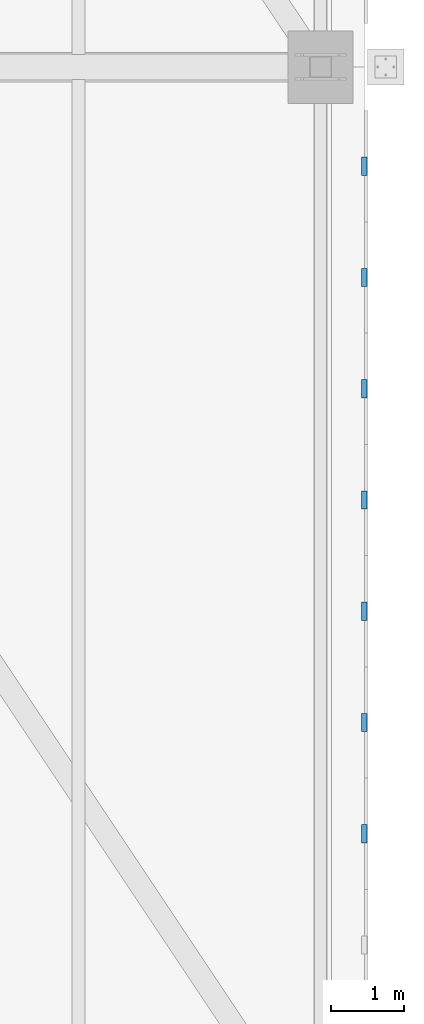
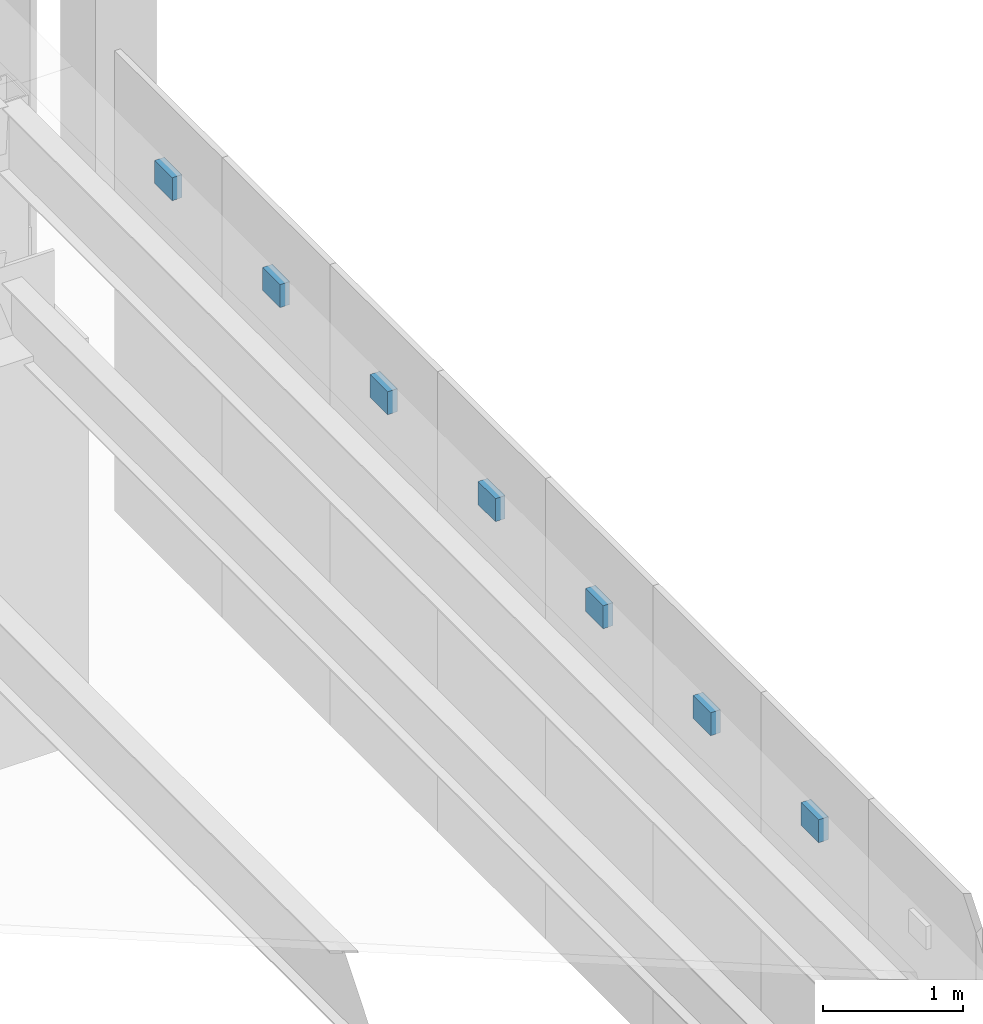
# One storey, part 196 of 278: 7 discrete accessories.
"""IFC4 building model written with IfcOpenShell, lengths in metres."""

import ifcopenshell
import ifcopenshell.guid

model = None  # the IFC model being written
_history = None  # IfcOwnerHistory: only IFC2X3 demands one
_inside = {}  # id of a spatial element -> (the spatial element, [elements in it])
_under = {}  # id of a project, library or spatial element -> (it, [spatial elements below it])
_declared = {}  # id of a project -> (the project, [libraries it declares])
_typed = {}  # id of a type object -> (the type object, [elements of that type])
_made_of = {}  # id of a material, layer set ... -> (it, [elements and type objects made of it])


def new_model(schema):
    """Start an empty IFC model of exactly this schema.

    Asked for "IFC4X3", IfcOpenShell would pick the latest addendum, in which some entities
    have other attributes; the version numbers below select the first issue.
    IFC2X3 requires an IfcOwnerHistory on every rooted entity: one is made here for all.
    """
    global model, _history
    if schema == "IFC4X3":
        model = ifcopenshell.file(schema_version=(4, 3, 0, 0))
    else:
        model = ifcopenshell.file(schema=schema)
    _inside.clear()
    _under.clear()
    _declared.clear()
    _typed.clear()
    _made_of.clear()
    _history = None
    if model.schema == "IFC2X3":
        org = make("IfcOrganization", Name="unknown")
        user = make(
            "IfcPersonAndOrganization",
            ThePerson=make("IfcPerson", FamilyName="unknown"),
            TheOrganization=org,
        )
        app = make(
            "IfcApplication",
            ApplicationDeveloper=org,
            Version="unknown",
            ApplicationFullName="unknown",
            ApplicationIdentifier="unknown",
        )
        _history = make(
            "IfcOwnerHistory",
            OwningUser=user,
            OwningApplication=app,
            ChangeAction="ADDED",
            CreationDate=0,
        )
    return model


def make(cls, **values):
    """One entity of the class cls with the attributes given. An attribute that is None is left unset."""
    return model.create_entity(
        cls, **{name: value for name, value in values.items() if value is not None}
    )


def rooted(cls, **values):
    """An entity with a GlobalId (a new one), such as an element, a storey or a relation."""
    return make(cls, GlobalId=ifcopenshell.guid.new(), OwnerHistory=_history, **values)


def si_unit(unit_type, name, prefix=None):
    """IfcSIUnit, for example si_unit("LENGTHUNIT", "METRE", prefix="MILLI")."""
    return make("IfcSIUnit", UnitType=unit_type, Prefix=prefix, Name=name)


def assignment(units):
    """IfcUnitAssignment: the units of a project."""
    return None if units is None else make("IfcUnitAssignment", Units=units)


def point(xyz):
    """IfcCartesianPoint."""
    return None if xyz is None else make("IfcCartesianPoint", Coordinates=xyz)


def direction(xyz):
    """IfcDirection."""
    return None if xyz is None else make("IfcDirection", DirectionRatios=xyz)


def frame(location, z_axis=None, x_axis=None):
    """IfcAxis2Placement3D, a coordinate frame: its origin and axes. An axis left out is left unset."""
    return make(
        "IfcAxis2Placement3D",
        Location=point(location),
        Axis=direction(z_axis),
        RefDirection=direction(x_axis),
    )


def frame_2d(location, x_axis=None):
    """IfcAxis2Placement2D, a coordinate frame in the plane: its origin and x axis."""
    return make(
        "IfcAxis2Placement2D", Location=point(location), RefDirection=direction(x_axis)
    )


def origin():
    """The frame at (0, 0, 0) with its axes left unset."""
    return frame((0.0, 0.0, 0.0))


def origin_2d():
    """The frame at (0, 0) in the plane with its x axis left unset."""
    return frame_2d((0.0, 0.0))


def place(relative_to, where):
    """IfcLocalPlacement: puts the frame where relative to a parent placement (None: the world)."""
    return make(
        "IfcLocalPlacement", PlacementRelTo=relative_to, RelativePlacement=where
    )


def context(
    kind, dimensions, precision=None, world=None, true_north=None, identifier=None
):
    """IfcGeometricRepresentationContext, for example the 3D "Model" context."""
    return make(
        "IfcGeometricRepresentationContext",
        ContextIdentifier=identifier,
        ContextType=kind,
        CoordinateSpaceDimension=dimensions,
        Precision=precision,
        WorldCoordinateSystem=world,
        TrueNorth=true_north,
    )


def subcontext(parent, identifier, kind, view, scale=None):
    """IfcGeometricRepresentationSubContext, for example "Body" below "Model"."""
    return make(
        "IfcGeometricRepresentationSubContext",
        ContextIdentifier=identifier,
        ContextType=kind,
        ParentContext=parent,
        TargetScale=scale,
        TargetView=view,
    )


def project(units=None, contexts=None):
    """IfcProject with its units and contexts."""
    return rooted(
        "IfcProject",
        Name="project",
        RepresentationContexts=contexts,
        UnitsInContext=assignment(units),
    )


def spatial(cls, under=None, at=None, **own):
    """A site, building, storey or space (cls), placed at a placement, below another one or the project."""
    s = rooted(cls, ObjectPlacement=at, **own)
    if under is not None:
        _under.setdefault(under.id(), (under, []))[1].append(s)
    return s


def profile(cls, at=None, kind="AREA", **sizes):
    """A parametric profile (cls). Its sizes go by their IFC names, for example OverallWidth=200.0."""
    return make(cls, ProfileType=kind, Position=at, **sizes)


def rectangle(**sizes):
    """IfcRectangleProfileDef."""
    return profile("IfcRectangleProfileDef", **sizes)


def extrude(swept, where, along, depth):
    """IfcExtrudedAreaSolid: the profile swept, set in the frame where, extruded along a direction by depth."""
    return make(
        "IfcExtrudedAreaSolid",
        SweptArea=swept,
        Position=where,
        ExtrudedDirection=direction(along),
        Depth=depth,
    )


def shape(context_of_items, identifier, shape_type, items):
    """IfcShapeRepresentation: the items that make up one representation, for example the "Body"."""
    return make(
        "IfcShapeRepresentation",
        ContextOfItems=context_of_items,
        RepresentationIdentifier=identifier,
        RepresentationType=shape_type,
        Items=items,
    )


def material(Name=None, Category=None):
    """IfcMaterial."""
    return make("IfcMaterial", Name=Name, Category=Category)


def layer(
    of_material, thickness, ventilated=None, Name=None, Category=None, Priority=None
):
    """IfcMaterialLayer: one layer of a wall or slab, of a material (None: an air gap)."""
    return make(
        "IfcMaterialLayer",
        Material=of_material,
        LayerThickness=thickness,
        IsVentilated=ventilated,
        Name=Name,
        Category=Category,
        Priority=Priority,
    )


def layer_set(layers, Name=None):
    """IfcMaterialLayerSet."""
    return make("IfcMaterialLayerSet", MaterialLayers=layers, LayerSetName=Name)


def made_of(thing, what):
    """Note that an element or type object is made of a material, layer set ...; save() writes the relation."""
    if what is not None:
        _made_of.setdefault(what.id(), (what, []))[1].append(thing)
    return thing


def type_object(cls, material=None, **own):
    """A type object (cls), such as IfcWallType, which elements share."""
    return made_of(rooted(cls, **own), material)


def element(
    cls,
    number,
    at=None,
    inside=None,
    cuts=None,
    type_object=None,
    material=None,
    context=None,
    identifier="Body",
    shape_type=None,
    held_by="IfcProductDefinitionShape",
    body=None,
    shapes=None,
    **own,
):
    """One element of the class cls, such as IfcWall. Its Tag is "e" and its number.

    at: its placement. inside: the storey or other place that contains it. cuts: it is an
    opening in that element (IfcRelVoidsElement). A single representation is given by context,
    identifier, shape_type and body (its items); several are given by shapes. held_by: the class
    of the entity that holds the representations. save() writes the other relations.
    """
    e = rooted(cls, Tag="e%d" % number, ObjectPlacement=at, **own)
    if body is not None:
        shapes = [shape(context, identifier, shape_type, body)]
    if shapes is not None:
        e.Representation = make(held_by, Representations=shapes)
    if inside is not None:
        _inside.setdefault(inside.id(), (inside, []))[1].append(e)
    if cuts is not None:
        rooted(
            "IfcRelVoidsElement", RelatingBuildingElement=cuts, RelatedOpeningElement=e
        )
    if type_object is not None:
        _typed.setdefault(type_object.id(), (type_object, []))[1].append(e)
    return made_of(e, material)


def aggregate(whole, parts):
    """IfcRelAggregates: a whole, such as a stair, and the parts it consists of."""
    return rooted("IfcRelAggregates", RelatingObject=whole, RelatedObjects=parts)


def save(model, path):
    """Write the relations noted so far, then the file.

    IfcRelAggregates (storeys below a building ...), IfcRelContainedInSpatialStructure (elements
    in a storey), IfcRelDefinesByType, IfcRelAssociatesMaterial and IfcRelDeclares: one each for
    every whole, place, type object, material and project.
    """
    for whole, parts in _under.values():
        aggregate(whole, parts)
    for where, things in _inside.values():
        rooted(
            "IfcRelContainedInSpatialStructure",
            RelatedElements=things,
            RelatingStructure=where,
        )
    for kind, things in _typed.values():
        rooted("IfcRelDefinesByType", RelatedObjects=things, RelatingType=kind)
    for what, things in _made_of.values():
        rooted("IfcRelAssociatesMaterial", RelatedObjects=things, RelatingMaterial=what)
    for by, libraries in _declared.values():
        rooted("IfcRelDeclares", RelatingContext=by, RelatedDefinitions=libraries)
    model.write(path)


model = new_model("IFC4")

# Units and contexts
model_context = context("Model", 3, precision=1e-05, world=origin(), true_north=direction((0.0, 1.0)))
body_context = subcontext(model_context, "Body", "Model", "MODEL_VIEW")
ifc_project = project(units=[si_unit("LENGTHUNIT", "METRE"), si_unit("AREAUNIT", "SQUARE_METRE"), si_unit("VOLUMEUNIT", "CUBIC_METRE"), si_unit("PLANEANGLEUNIT", "RADIAN"), si_unit("MASSUNIT", "GRAM", prefix="KILO")], contexts=[model_context])

# Site, building, storey
site_placement = place(None, origin())
site = spatial("IfcSite", under=ifc_project, at=site_placement, CompositionType="ELEMENT")
building_placement = place(site_placement, origin())
building = spatial("IfcBuilding", under=site, at=building_placement, Name="Ogive Plaza Stadium", CompositionType="ELEMENT")
storey_placement = place(building_placement, frame((0.0, 0.0, 29.0)))
storey = spatial("IfcBuildingStorey", under=building, at=storey_placement, Name="Roof", CompositionType="ELEMENT", Elevation=29.0)

# Discrete accessories
ifc_material = material(Name="Steel ASTM A572 Grade 50", Category="steel")
ifc_layer = layer(ifc_material, 0.080078125)
ifc_layer_set = layer_set([ifc_layer], Name="Steel ASTM A572 Grade 50")
discrete_accessory_type = type_object("IfcDiscreteAccessoryType", Name="Tracery screen bracket 250x200", PredefinedType="BRACKET", material=ifc_layer_set)
for number, where, z_axis, x_axis, name in (
    (1, (84.602294921875, -8.86669921875, 5.25), (0.0, 0.0, 1.0), (0.0, -1.0, 0.0), "TRACERY SCREEN BRACKET B05 1"),
    (2, (84.602294921875, -10.39990234375, 5.25), (0.0, 0.0, 1.0), (0.0, -1.0, 0.0), "TRACERY SCREEN BRACKET B05 2"),
    (3, (84.602294921875, -11.933349609375, 5.25), (0.0, 0.0, 1.0), (0.0, -1.0, 0.0), "TRACERY SCREEN BRACKET B05 3"),
    (4, (84.602294921875, -13.466796875, 5.25), (0.0, 0.0, 1.0), (0.0, -1.0, 0.0), "TRACERY SCREEN BRACKET B05 4"),
    (5, (84.602294921875, -15.0, 5.25), (0.0, 0.0, 1.0), (0.0, -1.0, 0.0), "TRACERY SCREEN BRACKET B05 5"),
    (6, (84.602294921875, -16.533203125, 5.25), (0.0, 0.0, 1.0), (0.0, -1.0, 0.0), "TRACERY SCREEN BRACKET B05 6"),
    (7, (84.602294921875, -18.066650390625, 5.25), (0.0, 0.0, 1.0), (0.0, -1.0, 0.0), "TRACERY SCREEN BRACKET B05 7"),
):
    element("IfcDiscreteAccessory", number, at=place(storey_placement, frame(where, z_axis=z_axis, x_axis=x_axis)), inside=storey, type_object=discrete_accessory_type, Name=name, PredefinedType="BRACKET", context=body_context, shape_type="SweptSolid", body=[
        extrude(rectangle(XDim=0.25, YDim=0.080078125, at=origin_2d()), origin(), (0.0, 0.0, 1.0), 0.199951171875),
    ])

save(model, "model.ifc")
